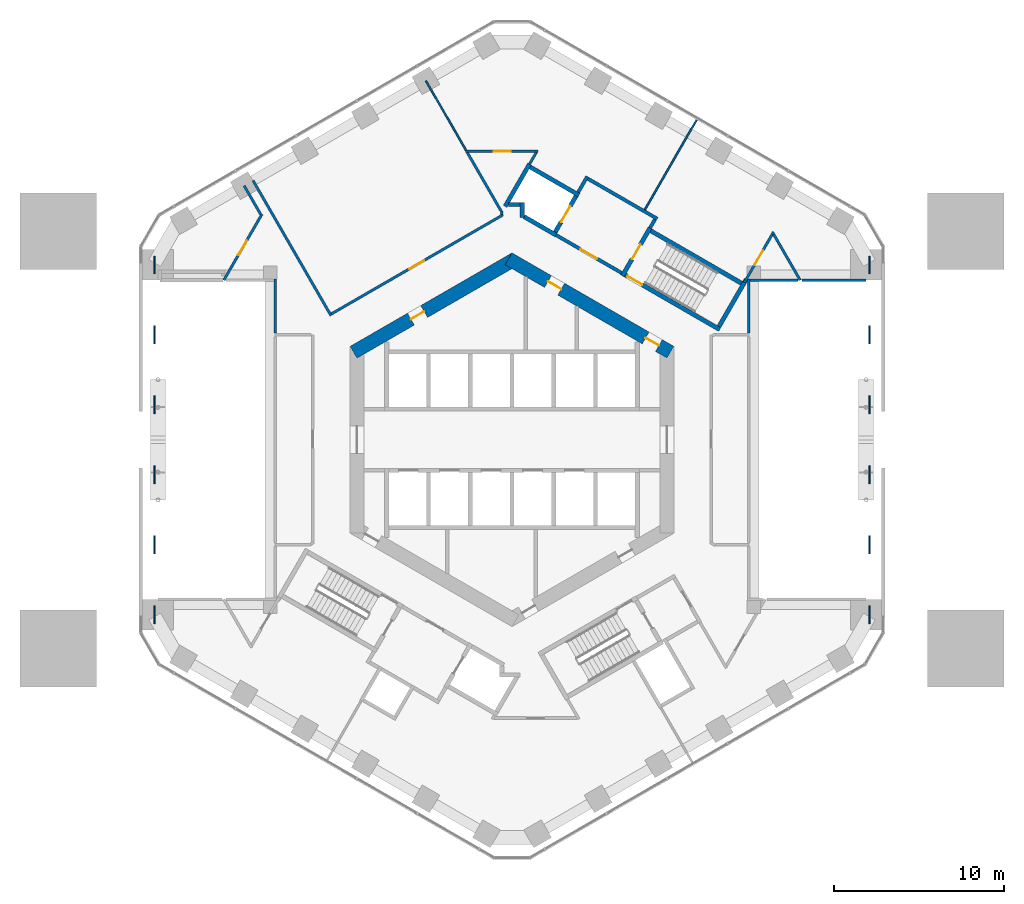
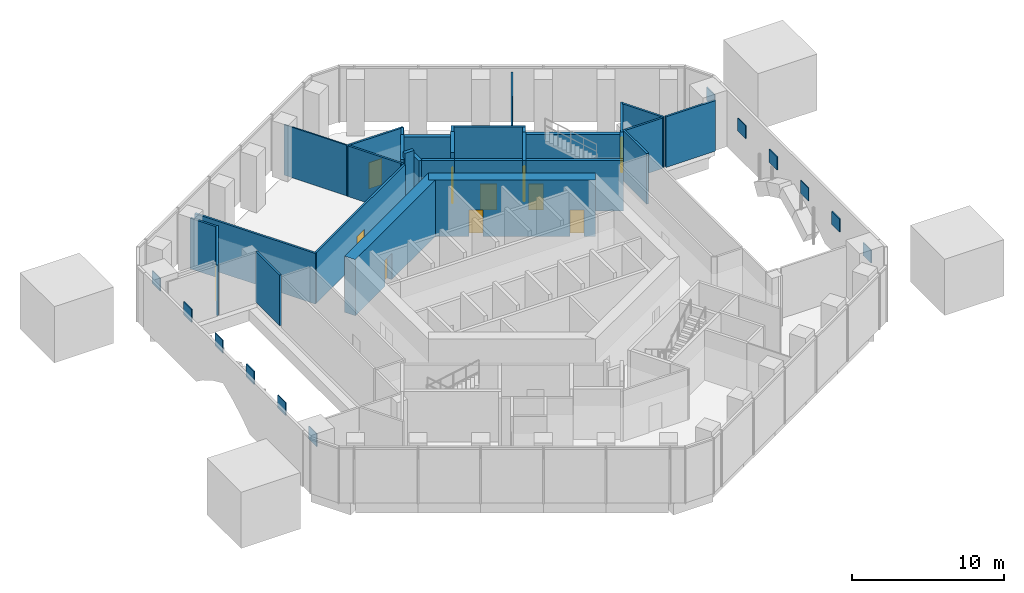
# One storey, part 11 of 14: 32 walls, 12 discrete accessories, 11 doors, 11 openings.
"""IFC4 building model written with IfcOpenShell, lengths in metres."""

from ifc_helpers import new_model, si_unit, direction, frame, frame_2d, origin, origin_2d, place, context, subcontext, project, spatial, rectangle, extrude, material, layer, layer_set, type_object, element, fill, save


model = new_model("IFC4")

# Units and contexts
model_context = context("Model", 3, precision=1e-05, world=origin(), true_north=direction((0.0, 1.0)))
body_context = subcontext(model_context, "Body", "Model", "MODEL_VIEW")
ifc_project = project(units=[si_unit("LENGTHUNIT", "METRE"), si_unit("AREAUNIT", "SQUARE_METRE"), si_unit("VOLUMEUNIT", "CUBIC_METRE"), si_unit("PLANEANGLEUNIT", "RADIAN"), si_unit("MASSUNIT", "GRAM", prefix="KILO")], contexts=[model_context])

# Site, building, storey
site_placement = place(None, origin())
site = spatial("IfcSite", under=ifc_project, at=site_placement, CompositionType="ELEMENT")
building_placement = place(site_placement, origin())
building = spatial("IfcBuilding", under=site, at=building_placement, Name="Ayvan Gate Tower", CompositionType="ELEMENT")
storey_placement = place(building_placement, frame((0.0, 0.0, 16.0)))
storey = spatial("IfcBuildingStorey", under=building, at=storey_placement, Name="L03", CompositionType="ELEMENT", Elevation=16.0)

# Wall, openings, doors
ifc_material_1 = material(Name="Concrete C70/85", Category="concrete")
ifc_layer_1 = layer(ifc_material_1, 0.800048828125)
ifc_layer_set_1 = layer_set([ifc_layer_1], Name="Concrete C70/85")
wall_type_1 = type_object("IfcWallType", Name="Core wall 800 C70/85", PredefinedType="SHEAR", material=ifc_layer_set_1)
wall_1_placement = place(storey_placement, frame((9.300048828125, 5.138427734375, 0.0), z_axis=(0.0, 0.0, 1.0), x_axis=(-0.866023993627, 0.500002442456, 0.0)))
wall_1 = element("IfcWall", 1, at=wall_1_placement, inside=storey, type_object=wall_type_1, Name="CORE-L03-1", PredefinedType="SHEAR", context=body_context, shape_type="SweptSolid", body=[
    extrude(rectangle(XDim=10.9697265625, YDim=0.800048828125, at=frame_2d((5.48486328125, 0.0))), origin(), (0.0, 0.0, 1.0), 4.5),
])
opening_1_placement = place(wall_1_placement, frame((7.402587890625, 0.0, 0.0)))
opening_1 = element("IfcOpeningElement", 2, at=opening_1_placement, cuts=wall_1, Name="Opening L03-D27", PredefinedType="OPENING", context=body_context, shape_type="SweptSolid", body=[
    extrude(rectangle(XDim=0.89990234375, YDim=2.10009765625, at=frame_2d((0.449951171875, 1.050048828125))), frame((0.0, 0.409912109375, 0.0), z_axis=(0.0, -1.0, 0.0), x_axis=(1.0, 0.0, 0.0)), (0.0, 0.0, 1.0), 0.820068359375),
])
opening_2_placement = place(wall_1_placement, frame((0.779541015625, 0.0, 0.0)))
opening_2 = element("IfcOpeningElement", 3, at=opening_2_placement, cuts=wall_1, Name="Opening L03-D28", PredefinedType="OPENING", context=body_context, shape_type="SweptSolid", body=[
    extrude(rectangle(XDim=0.89990234375, YDim=2.10009765625, at=frame_2d((0.449951171875, 1.050048828125))), frame((0.0, 0.409912109375, 0.0), z_axis=(0.0, -1.0, 0.0), x_axis=(1.0, 0.0, 0.0)), (0.0, 0.0, 1.0), 0.820068359375),
])
ifc_material_2 = material(Name="Timber door leaf", Category="wood")
door_type_1 = type_object("IfcDoorType", Name="DT-900", OperationType="NOTDEFINED", PredefinedType="DOOR", material=ifc_material_2)
door_1_placement = place(opening_1_placement, origin())
door_1 = element("IfcDoor", 4, at=door_1_placement, inside=storey, type_object=door_type_1, Name="CD-L03-27", OperationType="SINGLE_SWING_RIGHT", OverallHeight=2.10009765625, OverallWidth=0.89990234375, PredefinedType="DOOR", context=body_context, shape_type="SweptSolid", body=[
    extrude(rectangle(XDim=0.89990234375, YDim=2.10009765625, at=frame_2d((0.449951171875, 1.050048828125))), frame((0.0, 0.02490234375, 0.0), z_axis=(0.0, -1.0, 0.0), x_axis=(1.0, 0.0, 0.0)), (0.0, 0.0, 1.0), 0.050048828125),
])
fill(opening_1, door_1)
door_2_placement = place(opening_2_placement, origin())
door_2 = element("IfcDoor", 5, at=door_2_placement, inside=storey, type_object=door_type_1, Name="CD-L03-28", OperationType="SINGLE_SWING_LEFT", OverallHeight=2.10009765625, OverallWidth=0.89990234375, PredefinedType="DOOR", context=body_context, shape_type="SweptSolid", body=[
    extrude(rectangle(XDim=0.89990234375, YDim=2.10009765625, at=frame_2d((0.449951171875, 1.050048828125))), frame((0.0, 0.02490234375, 0.0), z_axis=(0.0, -1.0, 0.0), x_axis=(1.0, 0.0, 0.0)), (0.0, 0.0, 1.0), 0.050048828125),
])
fill(opening_2, door_2)

# Wall, opening, door
wall_2_placement = place(storey_placement, frame((0.199951171875, 10.623291015625, 0.0), z_axis=(0.0, 0.0, 1.0), x_axis=(-0.866023993627, -0.500002442456, 0.0)))
wall_2 = element("IfcWall", 6, at=wall_2_placement, inside=storey, type_object=wall_type_1, Name="CORE-L03-2", PredefinedType="SHEAR", context=body_context, shape_type="SweptSolid", body=[
    extrude(rectangle(XDim=10.9697265625, YDim=0.800048828125, at=frame_2d((5.48486328125, 0.0))), origin(), (0.0, 0.0, 1.0), 4.5),
])
opening_3_placement = place(wall_2_placement, frame((6.184814453125, 0.0, 0.0)))
opening_3 = element("IfcOpeningElement", 7, at=opening_3_placement, cuts=wall_2, Name="Opening L03-D26", PredefinedType="OPENING", context=body_context, shape_type="SweptSolid", body=[
    extrude(rectangle(XDim=0.89990234375, YDim=2.10009765625, at=frame_2d((0.449951171875, 1.050048828125))), frame((0.0, 0.409912109375, 0.0), z_axis=(0.0, -1.0, 0.0), x_axis=(1.0, 0.0, 0.0)), (0.0, 0.0, 1.0), 0.820068359375),
])
door_3_placement = place(opening_3_placement, origin())
door_3 = element("IfcDoor", 8, at=door_3_placement, inside=storey, type_object=door_type_1, Name="CD-L03-26", OperationType="SINGLE_SWING_LEFT", OverallHeight=2.10009765625, OverallWidth=0.89990234375, PredefinedType="DOOR", context=body_context, shape_type="SweptSolid", body=[
    extrude(rectangle(XDim=0.89990234375, YDim=2.10009765625, at=frame_2d((0.449951171875, 1.050048828125))), frame((0.0, 0.02490234375, 0.0), z_axis=(0.0, -1.0, 0.0), x_axis=(1.0, 0.0, 0.0)), (0.0, 0.0, 1.0), 0.050048828125),
])
fill(opening_3, door_3)

ifc_material_3 = material(Name="Plasterboard on steel stud", Category="steel")
ifc_layer_2 = layer(ifc_material_3, 0.14990234375)
ifc_layer_set_2 = layer_set([ifc_layer_2], Name="Plasterboard on steel stud")
wall_type_2 = type_object("IfcWallType", Name="WT-CORR-150", PredefinedType="PARTITIONING", material=ifc_layer_set_2)
wall_3_placement = place(storey_placement, frame((-16.918701171875, 9.367919921875, 0.0), z_axis=(0.0, 0.0, 1.0), x_axis=(0.500009203373, 0.866020090149, 0.0)))
wall_3 = element("IfcWall", 9, at=wall_3_placement, inside=storey, type_object=wall_type_2, Name="IW-L03-005", PredefinedType="PARTITIONING", context=body_context, shape_type="SweptSolid", body=[
    extrude(rectangle(XDim=4.47119140625, YDim=0.14990234375, at=frame_2d((2.235595703125, 0.0))), origin(), (0.0, 0.0, 1.0), 4.050048828125),
])
opening_4_placement = place(wall_3_placement, frame((1.697998046875, 0.0, 0.0)))
opening_4 = element("IfcOpeningElement", 10, at=opening_4_placement, cuts=wall_3, Name="Opening L03-D19", PredefinedType="OPENING", context=body_context, shape_type="SweptSolid", body=[
    extrude(rectangle(XDim=1.0, YDim=2.10009765625, at=frame_2d((0.5, 1.050048828125))), frame((0.0, 0.0849609375, 0.0), z_axis=(0.0, -1.0, 0.0), x_axis=(1.0, 0.0, 0.0)), (0.0, 0.0, 1.0), 0.169921875),
])
door_type_2 = type_object("IfcDoorType", Name="DT-1000", OperationType="NOTDEFINED", PredefinedType="DOOR", material=ifc_material_2)
door_4_placement = place(opening_4_placement, origin())
door_4 = element("IfcDoor", 11, at=door_4_placement, inside=storey, type_object=door_type_2, Name="ID-L03-019", OperationType="SINGLE_SWING_RIGHT", OverallHeight=2.10009765625, OverallWidth=1.0, PredefinedType="DOOR", context=body_context, shape_type="SweptSolid", body=[
    extrude(rectangle(XDim=1.0, YDim=2.10009765625, at=frame_2d((0.5, 1.050048828125))), frame((0.0, 0.02490234375, 0.0), z_axis=(0.0, -1.0, 0.0), x_axis=(1.0, 0.0, 0.0)), (0.0, 0.0, 1.0), 0.050048828125),
])
fill(opening_4, door_4)

# Walls
wall_4_placement = place(storey_placement, frame((-15.205078125, 15.221435546875, 0.0), z_axis=(0.0, 0.0, 1.0), x_axis=(0.500006245143, -0.86602179812, 0.0)))
element("IfcWall", 12, at=wall_4_placement, inside=storey, type_object=wall_type_2, Name="IW-L03-008", PredefinedType="PARTITIONING", context=body_context, shape_type="SweptSolid", body=[
    extrude(rectangle(XDim=9.15966796875, YDim=0.14990234375, at=frame_2d((4.579833984375, 0.0))), origin(), (0.0, 0.0, 1.0), 4.050048828125),
])
wall_5_placement = place(storey_placement, frame((-14.758056640625, 13.239990234375, 0.0), z_axis=(0.0, 0.0, 1.0), x_axis=(-0.49998396455, 0.866034661658, 0.0)))
element("IfcWall", 13, at=wall_5_placement, inside=storey, type_object=wall_type_2, Name="IW-L03-009", PredefinedType="PARTITIONING", context=body_context, shape_type="SweptSolid", body=[
    extrude(rectangle(XDim=1.939453125, YDim=0.14990234375, at=frame_2d((0.9697265625, 0.0))), origin(), (0.0, 0.0, 1.0), 4.050048828125),
])
wall_6_placement = place(storey_placement, frame((-13.89990234375, 6.28076171875, 0.0), z_axis=(0.0, 0.0, 1.0), x_axis=(0.0, 1.0, 0.0)))
element("IfcWall", 14, at=wall_6_placement, inside=storey, type_object=wall_type_2, Name="IW-L03-013", PredefinedType="PARTITIONING", context=body_context, shape_type="SweptSolid", body=[
    extrude(rectangle(XDim=3.162109375, YDim=0.14990234375, at=frame_2d((1.5810546875, 0.0))), origin(), (0.0, 0.0, 1.0), 4.050048828125),
])

# Wall, opening, door
wall_7_placement = place(storey_placement, frame((-10.59765625, 7.391357421875, 0.0), z_axis=(0.0, 0.0, 1.0), x_axis=(0.866022183431, 0.500005577774, 0.0)))
wall_7 = element("IfcWall", 15, at=wall_7_placement, inside=storey, type_object=wall_type_2, Name="IW-L03-022", PredefinedType="PARTITIONING", context=body_context, shape_type="SweptSolid", body=[
    extrude(rectangle(XDim=11.619384765625, YDim=0.14990234375, at=frame_2d((5.8095703125, 0.0))), origin(), (0.0, 0.0, 1.0), 4.050048828125),
])
opening_5_placement = place(wall_7_placement, frame((5.272216796875, 0.0, 0.0)))
opening_5 = element("IfcOpeningElement", 16, at=opening_5_placement, cuts=wall_7, Name="Opening L03-D17", PredefinedType="OPENING", context=body_context, shape_type="SweptSolid", body=[
    extrude(rectangle(XDim=1.0, YDim=2.10009765625, at=frame_2d((0.5, 1.050048828125))), frame((0.0, 0.0849609375, 0.0), z_axis=(0.0, -1.0, 0.0), x_axis=(1.0, 0.0, 0.0)), (0.0, 0.0, 1.0), 0.169921875),
])
door_5_placement = place(opening_5_placement, origin())
door_5 = element("IfcDoor", 17, at=door_5_placement, inside=storey, type_object=door_type_2, Name="ID-L03-017", OperationType="SINGLE_SWING_RIGHT", OverallHeight=2.10009765625, OverallWidth=1.0, PredefinedType="DOOR", context=body_context, shape_type="SweptSolid", body=[
    extrude(rectangle(XDim=1.0, YDim=2.10009765625, at=frame_2d((0.5, 1.050048828125))), frame((0.0, 0.02490234375, 0.0), z_axis=(0.0, -1.0, 0.0), x_axis=(1.0, 0.0, 0.0)), (0.0, 0.0, 1.0), 0.050048828125),
])
fill(opening_5, door_5)

wall_8_placement = place(storey_placement, frame((-2.739013671875, 16.935791015625, 0.0), z_axis=(0.0, 0.0, 1.0), x_axis=(1.0, 0.0, 0.0)))
wall_8 = element("IfcWall", 18, at=wall_8_placement, inside=storey, type_object=wall_type_2, Name="IW-L03-047", PredefinedType="PARTITIONING", context=body_context, shape_type="SweptSolid", body=[
    extrude(rectangle(XDim=4.278076171875, YDim=0.14990234375, at=frame_2d((2.13916015625, 0.0))), origin(), (0.0, 0.0, 1.0), 4.050048828125),
])
opening_6_placement = place(wall_8_placement, frame((1.656494140625, 0.0, 0.0)))
opening_6 = element("IfcOpeningElement", 19, at=opening_6_placement, cuts=wall_8, Name="Opening L03-D18", PredefinedType="OPENING", context=body_context, shape_type="SweptSolid", body=[
    extrude(rectangle(XDim=1.0, YDim=2.10009765625, at=frame_2d((0.5, 1.050048828125))), frame((0.0, 0.0849609375, 0.0), z_axis=(0.0, -1.0, 0.0), x_axis=(1.0, 0.0, 0.0)), (0.0, 0.0, 1.0), 0.169921875),
])
door_6_placement = place(opening_6_placement, origin())
door_6 = element("IfcDoor", 20, at=door_6_placement, inside=storey, type_object=door_type_2, Name="ID-L03-018", OperationType="SINGLE_SWING_LEFT", OverallHeight=2.10009765625, OverallWidth=1.0, PredefinedType="DOOR", context=body_context, shape_type="SweptSolid", body=[
    extrude(rectangle(XDim=1.0, YDim=2.10009765625, at=frame_2d((0.5, 1.050048828125))), frame((0.0, 0.02490234375, 0.0), z_axis=(0.0, -1.0, 0.0), x_axis=(1.0, 0.0, 0.0)), (0.0, 0.0, 1.0), 0.050048828125),
])
fill(opening_6, door_6)

# Walls
wall_9_placement = place(storey_placement, frame((-0.60009765625, 13.238525390625, 0.0), z_axis=(0.0, 0.0, 1.0), x_axis=(0.0, 1.0, 0.0)))
element("IfcWall", 21, at=wall_9_placement, inside=storey, type_object=wall_type_2, Name="IW-L03-056", PredefinedType="PARTITIONING", context=body_context, shape_type="SweptSolid", body=[
    extrude(rectangle(XDim=0.197265625, YDim=0.14990234375, at=frame_2d((0.0986328125, 0.0))), origin(), (0.0, 0.0, 1.0), 4.050048828125),
])
wall_10_placement = place(storey_placement, frame((-0.637451171875, 13.42578125, 0.0), z_axis=(0.0, 0.0, 1.0), x_axis=(-0.500046503579, 0.865998553266, 0.0)))
element("IfcWall", 22, at=wall_10_placement, inside=storey, type_object=wall_type_2, Name="IW-L03-057", PredefinedType="PARTITIONING", context=body_context, shape_type="SweptSolid", body=[
    extrude(rectangle(XDim=3.97802734375, YDim=0.14990234375, at=frame_2d((1.989013671875, 0.0))), origin(), (0.0, 0.0, 1.0), 4.050048828125),
])
wall_11_placement = place(storey_placement, frame((1.426513671875, 16.870849609375, 0.0), z_axis=(0.0, 0.0, 1.0), x_axis=(-0.499951716245, -0.866053278629, 0.0)))
element("IfcWall", 23, at=wall_11_placement, inside=storey, type_object=wall_type_2, Name="IW-L03-067", PredefinedType="PARTITIONING", context=body_context, shape_type="SweptSolid", body=[
    extrude(rectangle(XDim=0.798828125, YDim=0.14990234375, at=frame_2d((0.3994140625, 0.0))), origin(), (0.0, 0.0, 1.0), 4.050048828125),
])

# Wall, opening, door
wall_12_placement = place(storey_placement, frame((13.647705078125, 9.23876953125, 0.0), z_axis=(0.0, 0.0, 1.0), x_axis=(0.500000491645, 0.866025119933, 0.0)))
wall_12 = element("IfcWall", 24, at=wall_12_placement, inside=storey, type_object=wall_type_2, Name="IW-L03-106", PredefinedType="PARTITIONING", context=body_context, shape_type="SweptSolid", body=[
    extrude(rectangle(XDim=3.42041015625, YDim=0.14990234375, at=frame_2d((1.710205078125, 0.0))), origin(), (0.0, 0.0, 1.0), 4.050048828125),
])
opening_7_placement = place(wall_12_placement, frame((1.172607421875, 0.0, 0.0)))
opening_7 = element("IfcOpeningElement", 25, at=opening_7_placement, cuts=wall_12, Name="Opening L03-D23", PredefinedType="OPENING", context=body_context, shape_type="SweptSolid", body=[
    extrude(rectangle(XDim=1.0, YDim=2.10009765625, at=frame_2d((0.5, 1.050048828125))), frame((0.0, 0.0849609375, 0.0), z_axis=(0.0, -1.0, 0.0), x_axis=(1.0, 0.0, 0.0)), (0.0, 0.0, 1.0), 0.169921875),
])
door_7_placement = place(opening_7_placement, origin())
door_7 = element("IfcDoor", 26, at=door_7_placement, inside=storey, type_object=door_type_2, Name="ID-L03-023", OperationType="SINGLE_SWING_RIGHT", OverallHeight=2.10009765625, OverallWidth=1.0, PredefinedType="DOOR", context=body_context, shape_type="SweptSolid", body=[
    extrude(rectangle(XDim=1.0, YDim=2.10009765625, at=frame_2d((0.5, 1.050048828125))), frame((0.0, 0.02490234375, 0.0), z_axis=(0.0, -1.0, 0.0), x_axis=(1.0, 0.0, 0.0)), (0.0, 0.0, 1.0), 0.050048828125),
])
fill(opening_7, door_7)

# Walls
wall_13_placement = place(storey_placement, frame((13.89990234375, 9.44287109375, 0.0), z_axis=(0.0, 0.0, 1.0), x_axis=(0.0, -1.0, 0.0)))
element("IfcWall", 27, at=wall_13_placement, inside=storey, type_object=wall_type_2, Name="IW-L03-112", PredefinedType="PARTITIONING", context=body_context, shape_type="SweptSolid", body=[
    extrude(rectangle(XDim=3.162109375, YDim=0.14990234375, at=frame_2d((1.5810546875, 0.0))), origin(), (0.0, 0.0, 1.0), 4.050048828125),
])
wall_14_placement = place(storey_placement, frame((15.35791015625, 12.07080078125, 0.0), z_axis=(0.0, 0.0, 1.0), x_axis=(0.500067767496, -0.865986274667, 0.0)))
element("IfcWall", 28, at=wall_14_placement, inside=storey, type_object=wall_type_2, Name="IW-L03-115", PredefinedType="PARTITIONING", context=body_context, shape_type="SweptSolid", body=[
    extrude(rectangle(XDim=3.12109375, YDim=0.14990234375, at=frame_2d((1.560546875, 0.0))), origin(), (0.0, 0.0, 1.0), 4.050048828125),
])
wall_15_placement = place(storey_placement, frame((16.780029296875, 9.367919921875, 0.0), z_axis=(0.0, 0.0, 1.0), x_axis=(-1.0, 0.0, 0.0)))
element("IfcWall", 29, at=wall_15_placement, inside=storey, type_object=wall_type_2, Name="IW-L03-116", PredefinedType="PARTITIONING", context=body_context, shape_type="SweptSolid", body=[
    extrude(rectangle(XDim=2.804931640625, YDim=0.14990234375, at=frame_2d((1.40234375, 0.0))), origin(), (0.0, 0.0, 1.0), 4.050048828125),
])
wall_16_placement = place(storey_placement, frame((20.78466796875, 9.367919921875, 0.0), z_axis=(0.0, 0.0, 1.0), x_axis=(-1.0, 0.0, 0.0)))
element("IfcWall", 30, at=wall_16_placement, inside=storey, type_object=wall_type_2, Name="IW-L03-117", PredefinedType="PARTITIONING", context=body_context, shape_type="SweptSolid", body=[
    extrude(rectangle(XDim=3.74609375, YDim=0.14990234375, at=frame_2d((1.873046875, 0.0))), origin(), (0.0, 0.0, 1.0), 4.050048828125),
])
ifc_layer_3 = layer(ifc_material_3, 0.10009765625)
ifc_layer_set_3 = layer_set([ifc_layer_3], Name="Plasterboard on steel stud")
wall_type_3 = type_object("IfcWallType", Name="WT-PART-100", PredefinedType="PARTITIONING", material=ifc_layer_set_3)
wall_17_placement = place(storey_placement, frame((-5.056884765625, 21.080322265625, 0.0), z_axis=(0.0, 0.0, 1.0), x_axis=(0.500018540756, -0.866014699009, 0.0)))
element("IfcWall", 31, at=wall_17_placement, inside=storey, type_object=wall_type_3, Name="IW-L03-039", PredefinedType="PARTITIONING", context=body_context, shape_type="SweptSolid", body=[
    extrude(rectangle(XDim=4.710693359375, YDim=0.10009765625, at=frame_2d((2.35546875, 0.0))), origin(), (0.0, 0.0, 1.0), 4.050048828125),
])
wall_18_placement = place(storey_placement, frame((10.84033203125, 18.77587890625, 0.0), z_axis=(0.0, 0.0, 1.0), x_axis=(-0.500003976293, -0.866023108059, 0.0)))
element("IfcWall", 32, at=wall_18_placement, inside=storey, type_object=wall_type_3, Name="IW-L03-097", PredefinedType="PARTITIONING", context=body_context, shape_type="SweptSolid", body=[
    extrude(rectangle(XDim=6.08056640625, YDim=0.10009765625, at=frame_2d((3.040283203125, 0.0))), origin(), (0.0, 0.0, 1.0), 4.050048828125),
])
ifc_layer_4 = layer(ifc_material_3, 0.199951171875)
ifc_layer_set_4 = layer_set([ifc_layer_4], Name="Plasterboard on steel stud")
wall_type_4 = type_object("IfcWallType", Name="WT-RATED-200", PredefinedType="PARTITIONING", material=ifc_layer_set_4)
wall_19_placement = place(storey_placement, frame((3.885009765625, 14.52880859375, 0.0), z_axis=(0.0, 0.0, 1.0), x_axis=(0.499997628298, 0.866026773083, 0.0)))
element("IfcWall", 33, at=wall_19_placement, inside=storey, type_object=wall_type_4, Name="IW-L03-076", PredefinedType="PARTITIONING", context=body_context, shape_type="SweptSolid", body=[
    extrude(rectangle(XDim=1.0751953125, YDim=0.199951171875, at=frame_2d((0.53759765625, 0.0))), origin(), (0.0, 0.0, 1.0), 4.050048828125),
])
wall_20_placement = place(storey_placement, frame((4.458984375, 15.323486328125, 0.0), z_axis=(0.0, 0.0, 1.0), x_axis=(0.866016039709, -0.500016218704, 0.0)))
element("IfcWall", 34, at=wall_20_placement, inside=storey, type_object=wall_type_4, Name="IW-L03-078", PredefinedType="PARTITIONING", context=body_context, shape_type="SweptSolid", body=[
    extrude(rectangle(XDim=4.699951171875, YDim=0.199951171875, at=frame_2d((2.35009765625, 0.0))), origin(), (0.0, 0.0, 1.0), 4.050048828125),
])

# Wall, opening, door
wall_21_placement = place(storey_placement, frame((6.4345703125, 9.794921875, 0.0), z_axis=(0.0, 0.0, 1.0), x_axis=(-0.866012907634, 0.500021643343, 0.0)))
wall_21 = element("IfcWall", 35, at=wall_21_placement, inside=storey, type_object=wall_type_4, Name="IW-L03-081", PredefinedType="PARTITIONING", context=body_context, shape_type="SweptSolid", body=[
    extrude(rectangle(XDim=4.449951171875, YDim=0.199951171875, at=frame_2d((2.22509765625, 0.0))), origin(), (0.0, 0.0, 1.0), 4.050048828125),
])
opening_8_placement = place(wall_21_placement, frame((1.675048828125, 0.0, 0.0)))
opening_8 = element("IfcOpeningElement", 36, at=opening_8_placement, cuts=wall_21, Name="Opening L03-D08", PredefinedType="OPENING", context=body_context, shape_type="SweptSolid", body=[
    extrude(rectangle(XDim=1.10009765625, YDim=2.10009765625, at=frame_2d((0.550048828125, 1.050048828125))), frame((0.0, 0.10986328125, 0.0), z_axis=(0.0, -1.0, 0.0), x_axis=(1.0, 0.0, 0.0)), (0.0, 0.0, 1.0), 0.219970703125),
])
door_type_3 = type_object("IfcDoorType", Name="DT-1100", OperationType="NOTDEFINED", PredefinedType="DOOR", material=ifc_material_2)
door_8_placement = place(opening_8_placement, origin())
door_8 = element("IfcDoor", 37, at=door_8_placement, inside=storey, type_object=door_type_3, Name="ID-L03-008", OperationType="SINGLE_SWING_LEFT", OverallHeight=2.10009765625, OverallWidth=1.10009765625, PredefinedType="DOOR", context=body_context, shape_type="SweptSolid", body=[
    extrude(rectangle(XDim=1.10009765625, YDim=2.10009765625, at=frame_2d((0.550048828125, 1.050048828125))), frame((0.0, 0.02490234375, 0.0), z_axis=(0.0, -1.0, 0.0), x_axis=(1.0, 0.0, 0.0)), (0.0, 0.0, 1.0), 0.050048828125),
])
fill(opening_8, door_8)

# Walls
wall_22_placement = place(storey_placement, frame((8.392822265625, 12.936767578125, 0.0), z_axis=(0.0, 0.0, 1.0), x_axis=(-0.500065409566, -0.86598763626, 0.0)))
element("IfcWall", 38, at=wall_22_placement, inside=storey, type_object=wall_type_4, Name="IW-L03-090", PredefinedType="PARTITIONING", context=body_context, shape_type="SweptSolid", body=[
    extrude(rectangle(XDim=0.5751953125, YDim=0.199951171875, at=frame_2d((0.28759765625, 0.0))), origin(), (0.0, 0.0, 1.0), 4.050048828125),
])
ifc_material_4 = material(Name="Concrete C50/60", Category="concrete")
ifc_layer_5 = layer(ifc_material_4, 0.25)
ifc_layer_set_5 = layer_set([ifc_layer_5], Name="Concrete C50/60")
wall_type_5 = type_object("IfcWallType", Name="WT-RC-250", PredefinedType="SHEAR", material=ifc_layer_set_5)
wall_23_placement = place(storey_placement, frame((-0.403076171875, 13.70166015625, 0.0), z_axis=(0.0, 0.0, 1.0), x_axis=(0.499976111731, 0.866039195244, 0.0)))
element("IfcWall", 39, at=wall_23_placement, inside=storey, type_object=wall_type_5, Name="IW-L03-058", PredefinedType="SHEAR", context=body_context, shape_type="SweptSolid", body=[
    extrude(rectangle(XDim=2.860595703125, YDim=0.25, at=frame_2d((1.43017578125, 0.0))), origin(), (0.0, 0.0, 1.0), 4.050048828125),
])
wall_24_placement = place(storey_placement, frame((0.60009765625, 13.03857421875, 0.0), z_axis=(0.0, 0.0, 1.0), x_axis=(0.0, 1.0, 0.0)))
element("IfcWall", 40, at=wall_24_placement, inside=storey, type_object=wall_type_5, Name="IW-L03-062", PredefinedType="SHEAR", context=body_context, shape_type="SweptSolid", body=[
    extrude(rectangle(XDim=0.896484375, YDim=0.25, at=frame_2d((0.4482421875, 0.0))), origin(), (0.0, 0.0, 1.0), 4.050048828125),
])
wall_25_placement = place(storey_placement, frame((0.47509765625, 13.81005859375, 0.0), z_axis=(0.0, 0.0, 1.0), x_axis=(-1.0, 0.0, 0.0)))
element("IfcWall", 41, at=wall_25_placement, inside=storey, type_object=wall_type_5, Name="IW-L03-063", PredefinedType="SHEAR", context=body_context, shape_type="SweptSolid", body=[
    extrude(rectangle(XDim=0.690673828125, YDim=0.25, at=frame_2d((0.34521484375, 0.0))), origin(), (0.0, 0.0, 1.0), 4.5),
])
wall_26_placement = place(storey_placement, frame((1.072998046875, 16.00830078125, 0.0), z_axis=(0.0, 0.0, 1.0), x_axis=(0.866040211805, -0.499974350878, 0.0)))
element("IfcWall", 42, at=wall_26_placement, inside=storey, type_object=wall_type_5, Name="IW-L03-065", PredefinedType="SHEAR", context=body_context, shape_type="SweptSolid", body=[
    extrude(rectangle(XDim=3.300048828125, YDim=0.25, at=frame_2d((1.64990234375, 0.0))), origin(), (0.0, 0.0, 1.0), 4.050048828125),
])
wall_27_placement = place(storey_placement, frame((2.580810546875, 12.02001953125, 0.0), z_axis=(0.0, 0.0, 1.0), x_axis=(-0.86603892542, 0.499976579108, 0.0)))
element("IfcWall", 43, at=wall_27_placement, inside=storey, type_object=wall_type_5, Name="IW-L03-071", PredefinedType="SHEAR", context=body_context, shape_type="SweptSolid", body=[
    extrude(rectangle(XDim=2.162109375, YDim=0.25, at=frame_2d((1.0810546875, 0.0))), origin(), (0.0, 0.0, 1.0), 4.050048828125),
])

# Wall, opening, door
wall_28_placement = place(storey_placement, frame((2.534912109375, 12.19091796875, 0.0), z_axis=(0.0, 0.0, 1.0), x_axis=(0.500061746146, 0.865989751695, 0.0)))
wall_28 = element("IfcWall", 44, at=wall_28_placement, inside=storey, type_object=wall_type_5, Name="IW-L03-072", PredefinedType="SHEAR", context=body_context, shape_type="SweptSolid", body=[
    extrude(rectangle(XDim=2.449951171875, YDim=0.25, at=frame_2d((1.22509765625, 0.0))), origin(), (0.0, 0.0, 1.0), 4.5),
])
opening_9_placement = place(wall_28_placement, frame((0.675048828125, 0.0, 0.0)))
opening_9 = element("IfcOpeningElement", 45, at=opening_9_placement, cuts=wall_28, Name="Opening L03-LD-FF1", PredefinedType="OPENING", context=body_context, shape_type="SweptSolid", body=[
    extrude(rectangle(XDim=1.10009765625, YDim=2.10009765625, at=frame_2d((0.550048828125, 1.050048828125))), frame((0.0, 0.135009765625, 0.0), z_axis=(0.0, -1.0, 0.0), x_axis=(1.0, 0.0, 0.0)), (0.0, 0.0, 1.0), 0.27001953125),
])
ifc_material_5 = material(Name="Stainless steel landing door", Category="steel")
door_type_4 = type_object("IfcDoorType", Name="DT-LANDING-1100", OperationType="SLIDING_TO_LEFT", PredefinedType="DOOR", material=ifc_material_5)
door_9_placement = place(opening_9_placement, origin())
door_9 = element("IfcDoor", 46, at=door_9_placement, inside=storey, type_object=door_type_4, Name="ID-L03-009", OperationType="SLIDING_TO_LEFT", OverallHeight=2.10009765625, OverallWidth=1.10009765625, PredefinedType="DOOR", context=body_context, shape_type="SweptSolid", body=[
    extrude(rectangle(XDim=1.10009765625, YDim=2.10009765625, at=frame_2d((0.550048828125, 1.050048828125))), frame((0.0, 0.02490234375, 0.0), z_axis=(0.0, -1.0, 0.0), x_axis=(1.0, 0.0, 0.0)), (0.0, 0.0, 1.0), 0.050048828125),
])
fill(opening_9, door_9)

wall_29_placement = place(storey_placement, frame((6.480224609375, 9.624267578125, 0.0), z_axis=(0.0, 0.0, 1.0), x_axis=(0.500017246033, 0.866015446554, 0.0)))
wall_29 = element("IfcWall", 47, at=wall_29_placement, inside=storey, type_object=wall_type_5, Name="IW-L03-082", PredefinedType="SHEAR", context=body_context, shape_type="SweptSolid", body=[
    extrude(rectangle(XDim=3.25, YDim=0.25, at=frame_2d((1.625, 0.0))), origin(), (0.0, 0.0, 1.0), 4.050048828125),
])
opening_10_placement = place(wall_29_placement, frame((1.125, 0.0, 0.0)))
opening_10 = element("IfcOpeningElement", 48, at=opening_10_placement, cuts=wall_29, Name="Opening L03-D07", PredefinedType="OPENING", context=body_context, shape_type="SweptSolid", body=[
    extrude(rectangle(XDim=1.0, YDim=2.10009765625, at=frame_2d((0.5, 1.050048828125))), frame((0.0, 0.135009765625, 0.0), z_axis=(0.0, -1.0, 0.0), x_axis=(1.0, 0.0, 0.0)), (0.0, 0.0, 1.0), 0.27001953125),
])
door_10_placement = place(opening_10_placement, origin())
door_10 = element("IfcDoor", 49, at=door_10_placement, inside=storey, type_object=door_type_2, Name="ID-L03-007", OperationType="SINGLE_SWING_RIGHT", OverallHeight=2.10009765625, OverallWidth=1.0, PredefinedType="DOOR", context=body_context, shape_type="SweptSolid", body=[
    extrude(rectangle(XDim=1.0, YDim=2.10009765625, at=frame_2d((0.5, 1.050048828125))), frame((0.0, 0.02490234375, 0.0), z_axis=(0.0, -1.0, 0.0), x_axis=(1.0, 0.0, 0.0)), (0.0, 0.0, 1.0), 0.050048828125),
])
fill(opening_10, door_10)

# Wall
wall_30_placement = place(storey_placement, frame((8.151123046875, 12.26806640625, 0.0), z_axis=(0.0, 0.0, 1.0), x_axis=(0.866025499775, -0.499999833739, 0.0)))
element("IfcWall", 50, at=wall_30_placement, inside=storey, type_object=wall_type_5, Name="IW-L03-089", PredefinedType="SHEAR", context=body_context, shape_type="SweptSolid", body=[
    extrude(rectangle(XDim=6.39990234375, YDim=0.25, at=frame_2d((3.199951171875, 0.0))), origin(), (0.0, 0.0, 1.0), 4.050048828125),
])

# Wall, opening, door
wall_31_placement = place(storey_placement, frame((12.193603515625, 6.469970703125, 0.0), z_axis=(0.0, 0.0, 1.0), x_axis=(-0.866025499775, 0.499999833739, 0.0)))
wall_31 = element("IfcWall", 51, at=wall_31_placement, inside=storey, type_object=wall_type_5, Name="IW-L03-104", PredefinedType="SHEAR", context=body_context, shape_type="SweptSolid", body=[
    extrude(rectangle(XDim=6.39990234375, YDim=0.25, at=frame_2d((3.199951171875, 0.0))), origin(), (0.0, 0.0, 1.0), 4.050048828125),
])
opening_11_placement = place(wall_31_placement, frame((5.25, 0.0, 0.0)))
opening_11 = element("IfcOpeningElement", 52, at=opening_11_placement, cuts=wall_31, Name="Opening L03-D06", PredefinedType="OPENING", context=body_context, shape_type="SweptSolid", body=[
    extrude(rectangle(XDim=1.0, YDim=2.10009765625, at=frame_2d((0.5, 1.050048828125))), frame((0.0, 0.135009765625, 0.0), z_axis=(0.0, -1.0, 0.0), x_axis=(1.0, 0.0, 0.0)), (0.0, 0.0, 1.0), 0.27001953125),
])
door_11_placement = place(opening_11_placement, origin())
door_11 = element("IfcDoor", 53, at=door_11_placement, inside=storey, type_object=door_type_2, Name="ID-L03-006", OperationType="SINGLE_SWING_LEFT", OverallHeight=2.10009765625, OverallWidth=1.0, PredefinedType="DOOR", context=body_context, shape_type="SweptSolid", body=[
    extrude(rectangle(XDim=1.0, YDim=2.10009765625, at=frame_2d((0.5, 1.050048828125))), frame((0.0, 0.02490234375, 0.0), z_axis=(0.0, -1.0, 0.0), x_axis=(1.0, 0.0, 0.0)), (0.0, 0.0, 1.0), 0.050048828125),
])
fill(opening_11, door_11)

# Wall
wall_32_placement = place(storey_placement, frame((13.7548828125, 9.424072265625, 0.0), z_axis=(0.0, 0.0, 1.0), x_axis=(-0.500011789842, -0.866018596809, 0.0)))
element("IfcWall", 54, at=wall_32_placement, inside=storey, type_object=wall_type_5, Name="IW-L03-107", PredefinedType="SHEAR", context=body_context, shape_type="SweptSolid", body=[
    extrude(rectangle(XDim=3.2138671875, YDim=0.25, at=frame_2d((1.60693359375, 0.0))), origin(), (0.0, 0.0, 1.0), 4.050048828125),
])

# Discrete accessories
ifc_material_6 = material(Name="Steel S460ML", Category="steel")
ifc_layer_6 = layer(ifc_material_6, 0.070068359375)
ifc_layer_set_6 = layer_set([ifc_layer_6], Name="Steel S460ML")
discrete_accessory_type = type_object("IfcDiscreteAccessoryType", Name="Gusset plate 70 mm", PredefinedType="BRACKET", material=ifc_layer_set_6)
for number, where, z_axis, x_axis, name in (
    (55, (20.984619140625, -10.267822265625, 3.1298828125), (0.0, 0.0, 1.0), (0.0, 1.0, 0.0), "Gusset plate TT-E-DA-1"),
    (56, (20.984619140625, -6.160888671875, 3.1298828125), (0.0, 0.0, 1.0), (0.0, 1.0, 0.0), "Gusset plate TT-E-DB-1"),
    (57, (20.984619140625, -2.0537109375, 3.1298828125), (0.0, 0.0, 1.0), (0.0, 1.0, 0.0), "Gusset plate TT-E-DB-2"),
    (58, (20.984619140625, 2.0537109375, 3.1298828125), (0.0, 0.0, 1.0), (0.0, 1.0, 0.0), "Gusset plate TT-E-DB-3"),
    (59, (20.984619140625, 6.160888671875, 3.1298828125), (0.0, 0.0, 1.0), (0.0, 1.0, 0.0), "Gusset plate TT-E-DB-4"),
    (60, (20.984619140625, 10.267822265625, 3.1298828125), (0.0, 0.0, 1.0), (0.0, 1.0, 0.0), "Gusset plate TT-E-DB-5"),
    (61, (-20.984619140625, 10.267822265625, 3.1298828125), (0.0, 0.0, 1.0), (0.0, 1.0, 0.0), "Gusset plate TT-W-DA-1"),
    (62, (-20.984619140625, 6.160888671875, 3.1298828125), (0.0, 0.0, 1.0), (0.0, 1.0, 0.0), "Gusset plate TT-W-DB-1"),
    (63, (-20.984619140625, 2.0537109375, 3.1298828125), (0.0, 0.0, 1.0), (0.0, 1.0, 0.0), "Gusset plate TT-W-DB-2"),
    (64, (-20.984619140625, -2.0537109375, 3.1298828125), (0.0, 0.0, 1.0), (0.0, 1.0, 0.0), "Gusset plate TT-W-DB-3"),
    (65, (-20.984619140625, -6.160888671875, 3.1298828125), (0.0, 0.0, 1.0), (0.0, 1.0, 0.0), "Gusset plate TT-W-DB-4"),
    (66, (-20.984619140625, -10.267822265625, 3.1298828125), (0.0, 0.0, 1.0), (0.0, 1.0, 0.0), "Gusset plate TT-W-DB-5"),
):
    element("IfcDiscreteAccessory", number, at=place(storey_placement, frame(where, z_axis=z_axis, x_axis=x_axis)), inside=storey, type_object=discrete_accessory_type, Name=name, PredefinedType="BRACKET", context=body_context, shape_type="SweptSolid", body=[
        extrude(rectangle(XDim=1.0400390625, YDim=0.070068359375, at=origin_2d()), origin(), (0.0, 0.0, 1.0), 1.0400390625),
    ])

save(model, "model.ifc")
